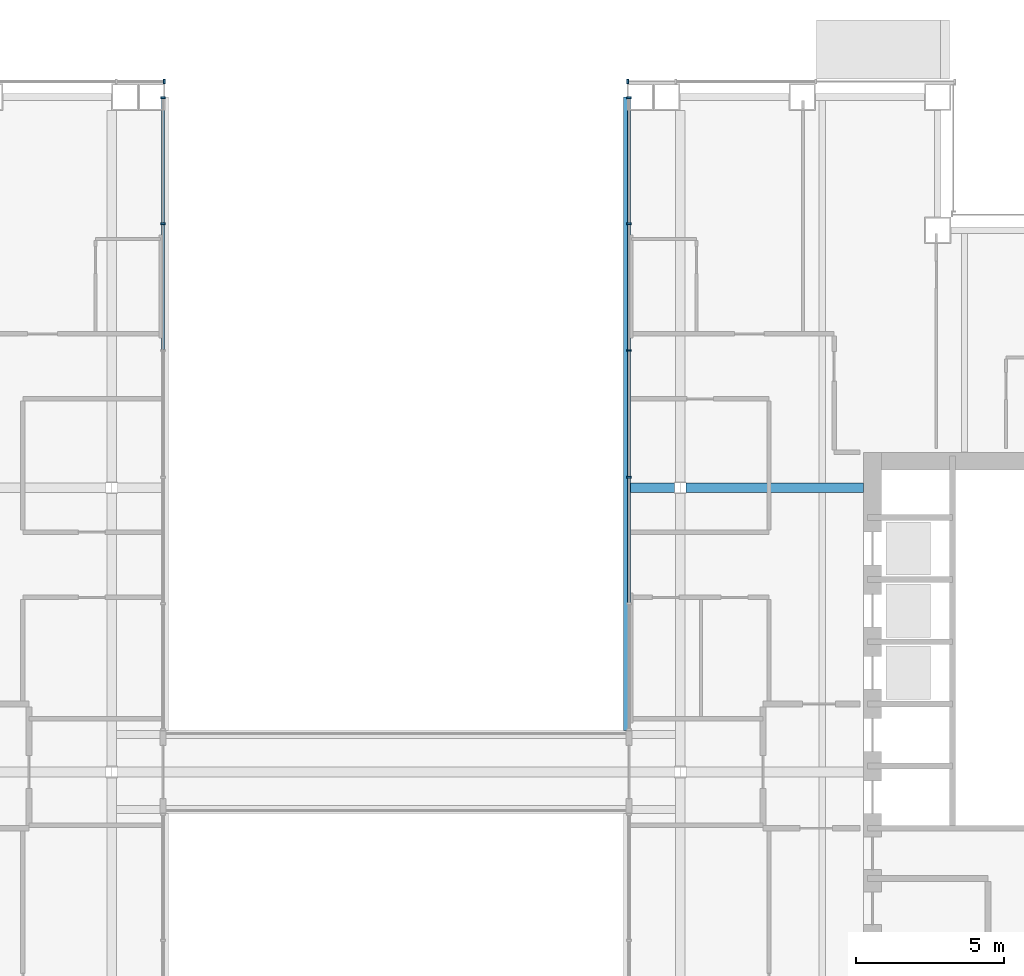
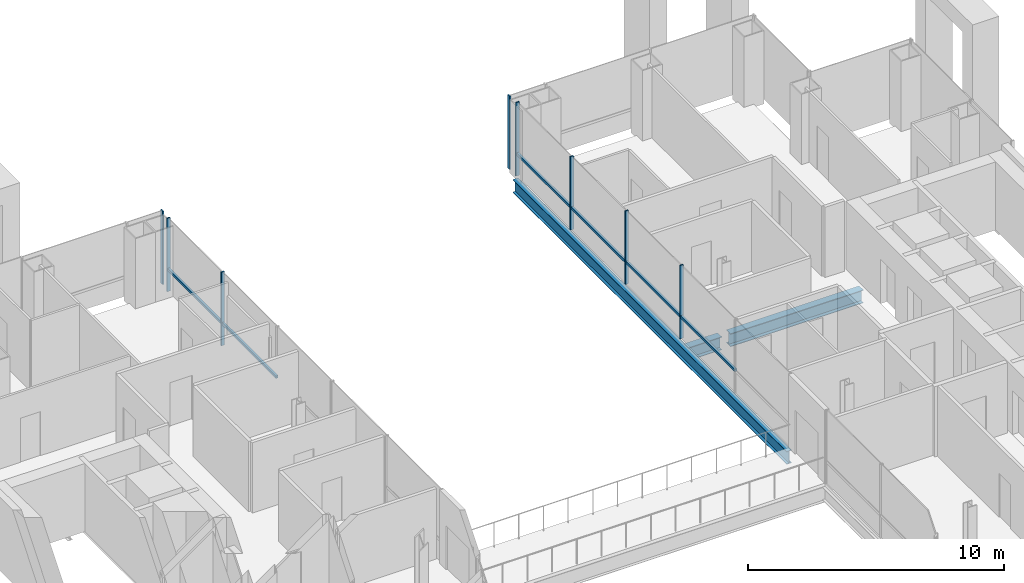
# One storey, part 8 of 20: 14 members, 3 beams, 4 elements without a shape of their own.
"""IFC4 building model written with IfcOpenShell, lengths in metres."""

from ifc_helpers import new_model, si_unit, direction, frame, origin, origin_2d, place, context, subcontext, project, spatial, rectangle, i_section, extrude, material, material_profile, profile_set, type_object, element, aggregate, save


model = new_model("IFC4")

# Units and contexts
model_context = context("Model", 3, precision=1e-05, world=origin(), true_north=direction((0.0, 1.0)))
body_context = subcontext(model_context, "Body", "Model", "MODEL_VIEW")
ifc_project = project(units=[si_unit("LENGTHUNIT", "METRE"), si_unit("AREAUNIT", "SQUARE_METRE"), si_unit("VOLUMEUNIT", "CUBIC_METRE"), si_unit("PLANEANGLEUNIT", "RADIAN"), si_unit("MASSUNIT", "GRAM", prefix="KILO")], contexts=[model_context])

# Site, building, storey
site_placement = place(None, origin())
site = spatial("IfcSite", under=ifc_project, at=site_placement, CompositionType="ELEMENT")
building_placement = place(site_placement, origin())
building = spatial("IfcBuilding", under=site, at=building_placement, Name="Cobrizo Arcos Hotel Tower", CompositionType="ELEMENT")
storey_placement = place(building_placement, frame((0.0, 0.0, 124.0)))
storey = spatial("IfcBuildingStorey", under=building, at=storey_placement, Name="L31", CompositionType="ELEMENT", Elevation=124.0)

# Curtain wall, member
ifc_material_1 = material(Name="Aluminium 6063-T6 anodised bronze", Category="aluminium")
curtain_wall_type_1 = type_object("IfcCurtainWallType", Name="CW-A guest facade", PredefinedType="NOTDEFINED", material=ifc_material_1)
curtain_wall_1_placement = place(storey_placement, origin())
curtain_wall_1 = element("IfcCurtainWall", 1, at=curtain_wall_1_placement, inside=storey, type_object=curtain_wall_type_1, Name="CW-A L31 N face", PredefinedType="NOTDEFINED")
ifc_material_profile_1 = material_profile(ifc_material_1, rectangle(XDim=0.14990234375, YDim=0.06005859375, at=origin_2d()), Name="CW-A mullion 150x60")
ifc_profile_set_1 = profile_set([ifc_material_profile_1], Name="Aluminium 6063-T6 anodised bronze")
member_type_1 = type_object("IfcMemberType", Name="CW-A mullion 150x60", PredefinedType="MULLION", material=ifc_profile_set_1)
member_1_placement = place(storey_placement, frame((7.830078125, 23.324951171875, 0.0), z_axis=(0.0, 0.0, 1.0), x_axis=(0.0, 1.0, 0.0)))
member_1 = element("IfcMember", 2, at=member_1_placement, type_object=member_type_1, Name="CW-A mullion 4", PredefinedType="MULLION", context=body_context, shape_type="SweptSolid", body=[
    extrude(rectangle(XDim=0.14990234375, YDim=0.06005859375, at=origin_2d()), origin(), (0.0, 0.0, 1.0), 3.5),
])
aggregate(curtain_wall_1, [member_1])

curtain_wall_2_placement = place(storey_placement, origin())
curtain_wall_2 = element("IfcCurtainWall", 3, at=curtain_wall_2_placement, inside=storey, type_object=curtain_wall_type_1, Name="CW-A L31 N face", PredefinedType="NOTDEFINED")
member_2_placement = place(storey_placement, frame((-7.830078125, 23.324951171875, 0.0), z_axis=(0.0, 0.0, 1.0), x_axis=(0.0, 1.0, 0.0)))
member_2 = element("IfcMember", 4, at=member_2_placement, type_object=member_type_1, Name="CW-A mullion 1", PredefinedType="MULLION", context=body_context, shape_type="SweptSolid", body=[
    extrude(rectangle(XDim=0.14990234375, YDim=0.06005859375, at=origin_2d()), origin(), (0.0, 0.0, 1.0), 3.5),
])
aggregate(curtain_wall_2, [member_2])

# Curtain wall, members
curtain_wall_type_2 = type_object("IfcCurtainWallType", Name="CW-F void screen", PredefinedType="NOTDEFINED", material=ifc_material_1)
curtain_wall_3_placement = place(storey_placement, origin())
curtain_wall_3 = element("IfcCurtainWall", 5, at=curtain_wall_3_placement, inside=storey, type_object=curtain_wall_type_2, Name="CW-F L31 void screen B", PredefinedType="NOTDEFINED")
ifc_material_profile_2 = material_profile(ifc_material_1, rectangle(XDim=0.14990234375, YDim=0.06005859375, at=origin_2d()), Name="CW-F mullion 150x60")
ifc_profile_set_2 = profile_set([ifc_material_profile_2], Name="Aluminium 6063-T6 anodised bronze")
member_type_2 = type_object("IfcMemberType", Name="CW-F mullion 150x60", PredefinedType="MULLION", material=ifc_profile_set_2)
member_3_placement = place(storey_placement, frame((7.875, 9.9599609375, 0.0), z_axis=(0.0, 0.0, 1.0), x_axis=(1.0, 0.0, 0.0)))
member_3 = element("IfcMember", 6, at=member_3_placement, type_object=member_type_2, Name="CW-F mullion 3", PredefinedType="MULLION", context=body_context, shape_type="SweptSolid", body=[
    extrude(rectangle(XDim=0.14990234375, YDim=0.06005859375, at=origin_2d()), origin(), (0.0, 0.0, 1.0), 3.5),
])
member_4_placement = place(storey_placement, frame((7.875, 14.239990234375, 0.0), z_axis=(0.0, 0.0, 1.0), x_axis=(1.0, 0.0, 0.0)))
member_4 = element("IfcMember", 7, at=member_4_placement, type_object=member_type_2, Name="CW-F mullion 4", PredefinedType="MULLION", context=body_context, shape_type="SweptSolid", body=[
    extrude(rectangle(XDim=0.14990234375, YDim=0.06005859375, at=origin_2d()), origin(), (0.0, 0.0, 1.0), 3.5),
])
member_5_placement = place(storey_placement, frame((7.875, 18.52001953125, 0.0), z_axis=(0.0, 0.0, 1.0), x_axis=(1.0, 0.0, 0.0)))
member_5 = element("IfcMember", 8, at=member_5_placement, type_object=member_type_2, Name="CW-F mullion 5", PredefinedType="MULLION", context=body_context, shape_type="SweptSolid", body=[
    extrude(rectangle(XDim=0.14990234375, YDim=0.06005859375, at=origin_2d()), origin(), (0.0, 0.0, 1.0), 3.5),
])
member_6_placement = place(storey_placement, frame((7.875, 22.77001953125, 0.0), z_axis=(0.0, 0.0, 1.0), x_axis=(1.0, 0.0, 0.0)))
member_6 = element("IfcMember", 9, at=member_6_placement, type_object=member_type_2, Name="CW-F mullion 6", PredefinedType="MULLION", context=body_context, shape_type="SweptSolid", body=[
    extrude(rectangle(XDim=0.14990234375, YDim=0.06005859375, at=origin_2d()), origin(), (0.0, 0.0, 1.0), 3.5),
])

curtain_wall_4_placement = place(storey_placement, origin())
curtain_wall_4 = element("IfcCurtainWall", 10, at=curtain_wall_4_placement, inside=storey, type_object=curtain_wall_type_2, Name="CW-F L31 void screen B", PredefinedType="NOTDEFINED")
member_7_placement = place(storey_placement, frame((-7.875, 22.77001953125, 0.0), z_axis=(0.0, 0.0, 1.0), x_axis=(-1.0, 0.0, 0.0)))
member_7 = element("IfcMember", 11, at=member_7_placement, type_object=member_type_2, Name="CW-F mullion 1", PredefinedType="MULLION", context=body_context, shape_type="SweptSolid", body=[
    extrude(rectangle(XDim=0.14990234375, YDim=0.06005859375, at=origin_2d()), origin(), (0.0, 0.0, 1.0), 3.5),
])
member_8_placement = place(storey_placement, frame((-7.875, 18.52001953125, 0.0), z_axis=(0.0, 0.0, 1.0), x_axis=(-1.0, 0.0, 0.0)))
member_8 = element("IfcMember", 12, at=member_8_placement, type_object=member_type_2, Name="CW-F mullion 2", PredefinedType="MULLION", context=body_context, shape_type="SweptSolid", body=[
    extrude(rectangle(XDim=0.14990234375, YDim=0.06005859375, at=origin_2d()), origin(), (0.0, 0.0, 1.0), 3.5),
])

# Member
ifc_material_profile_3 = material_profile(ifc_material_1, rectangle(XDim=0.10009765625, YDim=0.1201171875, at=origin_2d()), Name="CW-F transom 120x100")
ifc_profile_set_3 = profile_set([ifc_material_profile_3], Name="Aluminium 6063-T6 anodised bronze")
member_type_3 = type_object("IfcMemberType", Name="CW-F transom 120x100", PredefinedType="USERDEFINED", material=ifc_profile_set_3)
member_9_placement = place(storey_placement, frame((7.875, 5.7099609375, 1.050048828125), z_axis=(0.0, 1.0, 0.0), x_axis=(-1.0, 0.0, 0.0)))
member_9 = element("IfcMember", 13, at=member_9_placement, type_object=member_type_3, Name="CW-F transom 2612", ObjectType="TRANSOM", PredefinedType="USERDEFINED", context=body_context, shape_type="SweptSolid", body=[
    extrude(rectangle(XDim=0.10009765625, YDim=0.1201171875, at=origin_2d()), origin(), (0.0, 0.0, 1.0), 4.219970703125),
])

member_10_placement = place(storey_placement, frame((7.875, 9.989990234375, 1.050048828125), z_axis=(0.0, 1.0, 0.0), x_axis=(-1.0, 0.0, 0.0)))
member_10 = element("IfcMember", 14, at=member_10_placement, type_object=member_type_3, Name="CW-F transom 2613", ObjectType="TRANSOM", PredefinedType="USERDEFINED", context=body_context, shape_type="SweptSolid", body=[
    extrude(rectangle(XDim=0.10009765625, YDim=0.1201171875, at=origin_2d()), origin(), (0.0, 0.0, 1.0), 4.219970703125),
])

member_11_placement = place(storey_placement, frame((7.875, 14.27001953125, 1.050048828125), z_axis=(0.0, 1.0, 0.0), x_axis=(-1.0, 0.0, 0.0)))
member_11 = element("IfcMember", 15, at=member_11_placement, type_object=member_type_3, Name="CW-F transom 2614", ObjectType="TRANSOM", PredefinedType="USERDEFINED", context=body_context, shape_type="SweptSolid", body=[
    extrude(rectangle(XDim=0.10009765625, YDim=0.1201171875, at=origin_2d()), origin(), (0.0, 0.0, 1.0), 4.219970703125),
])

member_12_placement = place(storey_placement, frame((7.875, 18.550048828125, 1.050048828125), z_axis=(0.0, 1.0, 0.0), x_axis=(-1.0, 0.0, 0.0)))
member_12 = element("IfcMember", 16, at=member_12_placement, type_object=member_type_3, Name="CW-F transom 2615", ObjectType="TRANSOM", PredefinedType="USERDEFINED", context=body_context, shape_type="SweptSolid", body=[
    extrude(rectangle(XDim=0.10009765625, YDim=0.1201171875, at=origin_2d()), origin(), (0.0, 0.0, 1.0), 4.18994140625),
])

aggregate(curtain_wall_3, [member_3, member_4, member_5, member_6, member_9, member_10, member_11, member_12])

member_13_placement = place(storey_placement, frame((-7.875, 22.739990234375, 1.050048828125), z_axis=(0.0, -1.0, 0.0), x_axis=(1.0, 0.0, 0.0)))
member_13 = element("IfcMember", 17, at=member_13_placement, type_object=member_type_3, Name="CW-F transom 2616", ObjectType="TRANSOM", PredefinedType="USERDEFINED", context=body_context, shape_type="SweptSolid", body=[
    extrude(rectangle(XDim=0.10009765625, YDim=0.1201171875, at=origin_2d()), origin(), (0.0, 0.0, 1.0), 4.18994140625),
])

member_14_placement = place(storey_placement, frame((-7.875, 18.489990234375, 1.050048828125), z_axis=(0.0, -1.0, 0.0), x_axis=(1.0, 0.0, 0.0)))
member_14 = element("IfcMember", 18, at=member_14_placement, type_object=member_type_3, Name="CW-F transom 2617", ObjectType="TRANSOM", PredefinedType="USERDEFINED", context=body_context, shape_type="SweptSolid", body=[
    extrude(rectangle(XDim=0.10009765625, YDim=0.1201171875, at=origin_2d()), origin(), (0.0, 0.0, 1.0), 4.219970703125),
])

aggregate(curtain_wall_4, [member_7, member_8, member_13, member_14])

# Beams
ifc_material_2 = material(Name="Steel ASTM A992 Grade 50", Category="steel")
ifc_material_profile_4 = material_profile(ifc_material_2, i_section(OverallWidth=0.32763671875, OverallDepth=0.622314453125, WebThickness=0.015380859375, FlangeThickness=0.0244140625, at=origin_2d()), Name="W24X131")
ifc_profile_set_4 = profile_set([ifc_material_profile_4], Name="Steel ASTM A992 Grade 50")
beam_type_1 = type_object("IfcBeamType", Name="W24X131 girder", PredefinedType="BEAM", material=ifc_profile_set_4)
beam_1_placement = place(storey_placement, frame((7.889892578125, 9.60009765625, -0.461181640625), z_axis=(1.0, 0.0, 0.0), x_axis=(0.0, 1.0, 0.0)))
element("IfcBeam", 19, at=beam_1_placement, inside=storey, type_object=beam_type_1, Name="Floor girder G1, L31, no. 010", PredefinedType="BEAM", context=body_context, shape_type="SweptSolid", body=[
    extrude(i_section(OverallWidth=0.32763671875, OverallDepth=0.622314453125, WebThickness=0.015380859375, FlangeThickness=0.0244140625, at=origin_2d()), origin(), (0.0, 0.0, 1.0), 1.5107421875),
])
beam_2_placement = place(storey_placement, frame((9.79931640625, 9.60009765625, -0.461181640625), z_axis=(1.0, 0.0, 0.0), x_axis=(0.0, 1.0, 0.0)))
element("IfcBeam", 20, at=beam_2_placement, inside=storey, type_object=beam_type_1, Name="Floor girder G1, L31, no. 011", PredefinedType="BEAM", context=body_context, shape_type="SweptSolid", body=[
    extrude(i_section(OverallWidth=0.32763671875, OverallDepth=0.622314453125, WebThickness=0.015380859375, FlangeThickness=0.0244140625, at=origin_2d()), origin(), (0.0, 0.0, 1.0), 5.99072265625),
])
ifc_material_profile_5 = material_profile(ifc_material_2, i_section(OverallWidth=0.23046875, OverallDepth=0.6171875, WebThickness=0.01318359375, FlangeThickness=0.022216796875, at=origin_2d()), Name="W24X94")
ifc_profile_set_5 = profile_set([ifc_material_profile_5], Name="Steel ASTM A992 Grade 50")
beam_type_2 = type_object("IfcBeamType", Name="W24X94 spandrel", PredefinedType="SPANDREL", material=ifc_profile_set_5)
beam_3_placement = place(storey_placement, frame((7.800048828125, 1.39990234375, -0.45849609375), z_axis=(0.0, 1.0, 0.0), x_axis=(-1.0, 0.0, 0.0)))
element("IfcBeam", 21, at=beam_3_placement, inside=storey, type_object=beam_type_2, Name="Spandrel beam W24X94, L31, no. 025", PredefinedType="SPANDREL", context=body_context, shape_type="SweptSolid", body=[
    extrude(i_section(OverallWidth=0.23046875, OverallDepth=0.6171875, WebThickness=0.01318359375, FlangeThickness=0.022216796875, at=origin_2d()), origin(), (0.0, 0.0, 1.0), 21.400146484375),
])

save(model, "model.ifc")
